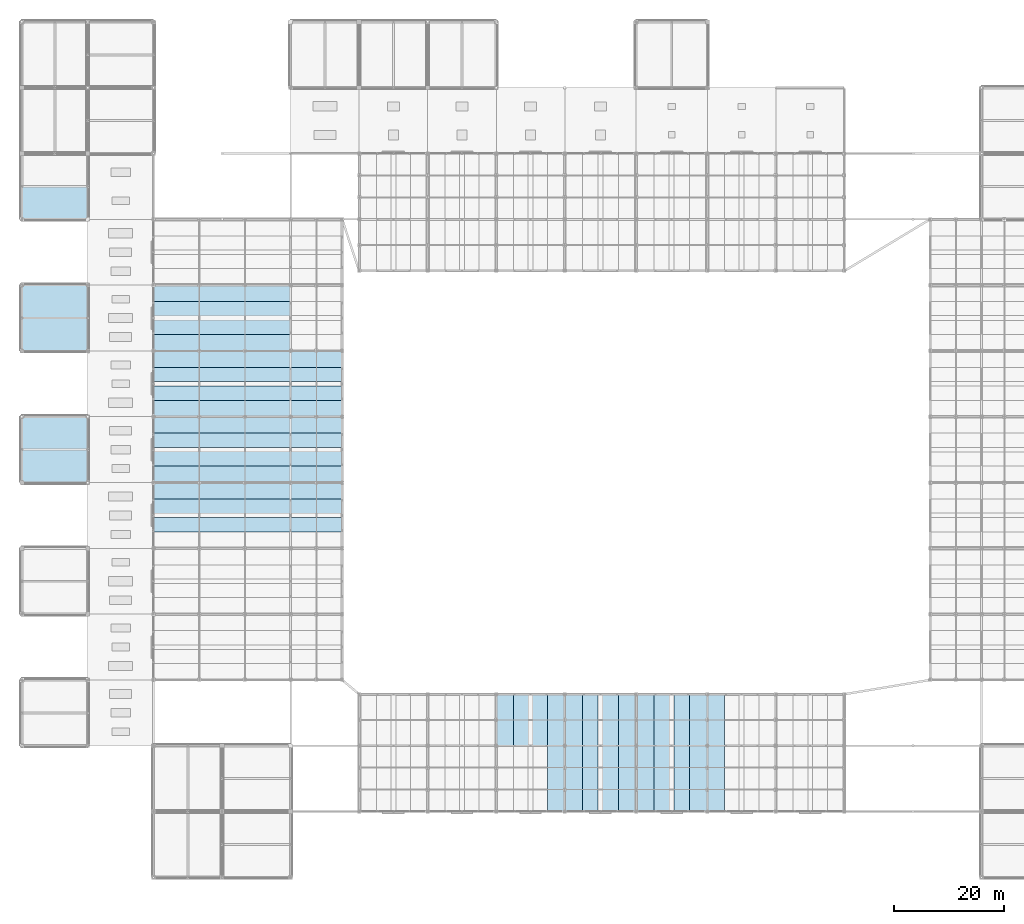
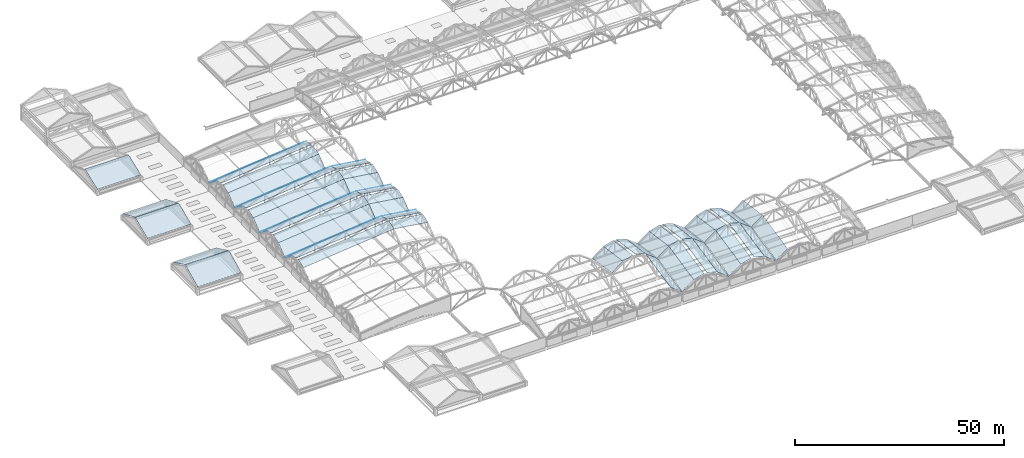
# One storey, part 111 of 117: 54 roofs.
"""IFC4 building model written with IfcOpenShell, lengths in metres."""

import ifcopenshell
import ifcopenshell.guid

model = None  # the IFC model being written
_history = None  # IfcOwnerHistory: only IFC2X3 demands one
_inside = {}  # id of a spatial element -> (the spatial element, [elements in it])
_under = {}  # id of a project, library or spatial element -> (it, [spatial elements below it])
_declared = {}  # id of a project -> (the project, [libraries it declares])
_typed = {}  # id of a type object -> (the type object, [elements of that type])
_made_of = {}  # id of a material, layer set ... -> (it, [elements and type objects made of it])


def new_model(schema):
    """Start an empty IFC model of exactly this schema.

    Asked for "IFC4X3", IfcOpenShell would pick the latest addendum, in which some entities
    have other attributes; the version numbers below select the first issue.
    IFC2X3 requires an IfcOwnerHistory on every rooted entity: one is made here for all.
    """
    global model, _history
    if schema == "IFC4X3":
        model = ifcopenshell.file(schema_version=(4, 3, 0, 0))
    else:
        model = ifcopenshell.file(schema=schema)
    _inside.clear()
    _under.clear()
    _declared.clear()
    _typed.clear()
    _made_of.clear()
    _history = None
    if model.schema == "IFC2X3":
        org = make("IfcOrganization", Name="unknown")
        user = make(
            "IfcPersonAndOrganization",
            ThePerson=make("IfcPerson", FamilyName="unknown"),
            TheOrganization=org,
        )
        app = make(
            "IfcApplication",
            ApplicationDeveloper=org,
            Version="unknown",
            ApplicationFullName="unknown",
            ApplicationIdentifier="unknown",
        )
        _history = make(
            "IfcOwnerHistory",
            OwningUser=user,
            OwningApplication=app,
            ChangeAction="ADDED",
            CreationDate=0,
        )
    return model


def make(cls, **values):
    """One entity of the class cls with the attributes given. An attribute that is None is left unset."""
    return model.create_entity(
        cls, **{name: value for name, value in values.items() if value is not None}
    )


def rooted(cls, **values):
    """An entity with a GlobalId (a new one), such as an element, a storey or a relation."""
    return make(cls, GlobalId=ifcopenshell.guid.new(), OwnerHistory=_history, **values)


def si_unit(unit_type, name, prefix=None):
    """IfcSIUnit, for example si_unit("LENGTHUNIT", "METRE", prefix="MILLI")."""
    return make("IfcSIUnit", UnitType=unit_type, Prefix=prefix, Name=name)


def assignment(units):
    """IfcUnitAssignment: the units of a project."""
    return None if units is None else make("IfcUnitAssignment", Units=units)


def point(xyz):
    """IfcCartesianPoint."""
    return None if xyz is None else make("IfcCartesianPoint", Coordinates=xyz)


def direction(xyz):
    """IfcDirection."""
    return None if xyz is None else make("IfcDirection", DirectionRatios=xyz)


def frame(location, z_axis=None, x_axis=None):
    """IfcAxis2Placement3D, a coordinate frame: its origin and axes. An axis left out is left unset."""
    return make(
        "IfcAxis2Placement3D",
        Location=point(location),
        Axis=direction(z_axis),
        RefDirection=direction(x_axis),
    )


def origin():
    """The frame at (0, 0, 0) with its axes left unset."""
    return frame((0.0, 0.0, 0.0))


def place(relative_to, where):
    """IfcLocalPlacement: puts the frame where relative to a parent placement (None: the world)."""
    return make(
        "IfcLocalPlacement", PlacementRelTo=relative_to, RelativePlacement=where
    )


def context(
    kind, dimensions, precision=None, world=None, true_north=None, identifier=None
):
    """IfcGeometricRepresentationContext, for example the 3D "Model" context."""
    return make(
        "IfcGeometricRepresentationContext",
        ContextIdentifier=identifier,
        ContextType=kind,
        CoordinateSpaceDimension=dimensions,
        Precision=precision,
        WorldCoordinateSystem=world,
        TrueNorth=true_north,
    )


def subcontext(parent, identifier, kind, view, scale=None):
    """IfcGeometricRepresentationSubContext, for example "Body" below "Model"."""
    return make(
        "IfcGeometricRepresentationSubContext",
        ContextIdentifier=identifier,
        ContextType=kind,
        ParentContext=parent,
        TargetScale=scale,
        TargetView=view,
    )


def project(units=None, contexts=None):
    """IfcProject with its units and contexts."""
    return rooted(
        "IfcProject",
        Name="project",
        RepresentationContexts=contexts,
        UnitsInContext=assignment(units),
    )


def spatial(cls, under=None, at=None, **own):
    """A site, building, storey or space (cls), placed at a placement, below another one or the project."""
    s = rooted(cls, ObjectPlacement=at, **own)
    if under is not None:
        _under.setdefault(under.id(), (under, []))[1].append(s)
    return s


def polyline(points):
    """IfcPolyline through the points."""
    return make("IfcPolyline", Points=[point(p) for p in points])


def outline(outer, holes=None, kind="AREA"):
    """IfcArbitraryClosedProfileDef: a profile drawn as a closed curve; with holes, ...WithVoids."""
    if holes is None:
        return make("IfcArbitraryClosedProfileDef", ProfileType=kind, OuterCurve=outer)
    return make(
        "IfcArbitraryProfileDefWithVoids",
        ProfileType=kind,
        OuterCurve=outer,
        InnerCurves=holes,
    )


def extrude(swept, where, along, depth):
    """IfcExtrudedAreaSolid: the profile swept, set in the frame where, extruded along a direction by depth."""
    return make(
        "IfcExtrudedAreaSolid",
        SweptArea=swept,
        Position=where,
        ExtrudedDirection=direction(along),
        Depth=depth,
    )


def shape(context_of_items, identifier, shape_type, items):
    """IfcShapeRepresentation: the items that make up one representation, for example the "Body"."""
    return make(
        "IfcShapeRepresentation",
        ContextOfItems=context_of_items,
        RepresentationIdentifier=identifier,
        RepresentationType=shape_type,
        Items=items,
    )


def material(Name=None, Category=None):
    """IfcMaterial."""
    return make("IfcMaterial", Name=Name, Category=Category)


def layer(
    of_material, thickness, ventilated=None, Name=None, Category=None, Priority=None
):
    """IfcMaterialLayer: one layer of a wall or slab, of a material (None: an air gap)."""
    return make(
        "IfcMaterialLayer",
        Material=of_material,
        LayerThickness=thickness,
        IsVentilated=ventilated,
        Name=Name,
        Category=Category,
        Priority=Priority,
    )


def layer_set(layers, Name=None):
    """IfcMaterialLayerSet."""
    return make("IfcMaterialLayerSet", MaterialLayers=layers, LayerSetName=Name)


def made_of(thing, what):
    """Note that an element or type object is made of a material, layer set ...; save() writes the relation."""
    if what is not None:
        _made_of.setdefault(what.id(), (what, []))[1].append(thing)
    return thing


def type_object(cls, material=None, **own):
    """A type object (cls), such as IfcWallType, which elements share."""
    return made_of(rooted(cls, **own), material)


def element(
    cls,
    number,
    at=None,
    inside=None,
    cuts=None,
    type_object=None,
    material=None,
    context=None,
    identifier="Body",
    shape_type=None,
    held_by="IfcProductDefinitionShape",
    body=None,
    shapes=None,
    **own,
):
    """One element of the class cls, such as IfcWall. Its Tag is "e" and its number.

    at: its placement. inside: the storey or other place that contains it. cuts: it is an
    opening in that element (IfcRelVoidsElement). A single representation is given by context,
    identifier, shape_type and body (its items); several are given by shapes. held_by: the class
    of the entity that holds the representations. save() writes the other relations.
    """
    e = rooted(cls, Tag="e%d" % number, ObjectPlacement=at, **own)
    if body is not None:
        shapes = [shape(context, identifier, shape_type, body)]
    if shapes is not None:
        e.Representation = make(held_by, Representations=shapes)
    if inside is not None:
        _inside.setdefault(inside.id(), (inside, []))[1].append(e)
    if cuts is not None:
        rooted(
            "IfcRelVoidsElement", RelatingBuildingElement=cuts, RelatedOpeningElement=e
        )
    if type_object is not None:
        _typed.setdefault(type_object.id(), (type_object, []))[1].append(e)
    return made_of(e, material)


def aggregate(whole, parts):
    """IfcRelAggregates: a whole, such as a stair, and the parts it consists of."""
    return rooted("IfcRelAggregates", RelatingObject=whole, RelatedObjects=parts)


def save(model, path):
    """Write the relations noted so far, then the file.

    IfcRelAggregates (storeys below a building ...), IfcRelContainedInSpatialStructure (elements
    in a storey), IfcRelDefinesByType, IfcRelAssociatesMaterial and IfcRelDeclares: one each for
    every whole, place, type object, material and project.
    """
    for whole, parts in _under.values():
        aggregate(whole, parts)
    for where, things in _inside.values():
        rooted(
            "IfcRelContainedInSpatialStructure",
            RelatedElements=things,
            RelatingStructure=where,
        )
    for kind, things in _typed.values():
        rooted("IfcRelDefinesByType", RelatedObjects=things, RelatingType=kind)
    for what, things in _made_of.values():
        rooted("IfcRelAssociatesMaterial", RelatedObjects=things, RelatingMaterial=what)
    for by, libraries in _declared.values():
        rooted("IfcRelDeclares", RelatingContext=by, RelatedDefinitions=libraries)
    model.write(path)


model = new_model("IFC4")

# Units and contexts
model_context = context("Model", 3, precision=1e-05, world=origin(), true_north=direction((0.0, 1.0)))
body_context = subcontext(model_context, "Body", "Model", "MODEL_VIEW")
ifc_project = project(units=[si_unit("LENGTHUNIT", "METRE"), si_unit("AREAUNIT", "SQUARE_METRE"), si_unit("VOLUMEUNIT", "CUBIC_METRE"), si_unit("PLANEANGLEUNIT", "RADIAN"), si_unit("MASSUNIT", "GRAM", prefix="KILO")], contexts=[model_context])

# Site, building, storey
site_placement = place(None, origin())
site = spatial("IfcSite", under=ifc_project, at=site_placement, CompositionType="ELEMENT")
building_placement = place(site_placement, origin())
building = spatial("IfcBuilding", under=site, at=building_placement, Name="Kazenohara Klinker Stadium", CompositionType="ELEMENT")
storey_placement = place(building_placement, frame((0.0, 0.0, 31.199951171875)))
storey = spatial("IfcBuildingStorey", under=building, at=storey_placement, Name="RF", CompositionType="ELEMENT", Elevation=31.199951171875)

# Roofs
ifc_material = material(Name="Patina copper standing seam roofing", Category="metal")
ifc_layer = layer(ifc_material, 0.080078125)
ifc_layer_set = layer_set([ifc_layer], Name="Patina copper standing seam roofing")
roof_type = type_object("IfcRoofType", Name="ROOF-BARREL-01", PredefinedType="BARREL_ROOF", material=ifc_layer_set)
roof_1_placement = place(storey_placement, frame((49.0, 75.0, 7.5), z_axis=(0.136061259308, -0.289700944037, 0.947396800047), x_axis=(0.989844222428, 3.528061e-06, -0.142156305924)))
element("IfcRoof", 1, at=roof_1_placement, inside=storey, type_object=roof_type, Name="Scalloped copper barrel-arch roof shell W-03 inner strip 2", PredefinedType="BARREL_ROOF", context=body_context, shape_type="SweptSolid", body=[
    extrude(outline(polyline([(0.0, 0.0), (9.496329215665769, -1.1102230246251565e-16), (9.382641165120983, 2.733138275735066), (-0.11372275667416151, 2.7332082853263064), (0.0, 0.0)])), origin(), (0.0, 0.0, -1.0), 0.080078125),
])
roof_2_placement = place(storey_placement, frame((24.0, 75.0, 4.949951171875), z_axis=(-0.097081417551, -0.291079679099, 0.951760378867), x_axis=(0.994838046303, 0.0, 0.101475423766)))
element("IfcRoof", 2, at=roof_2_placement, inside=storey, type_object=roof_type, Name="Scalloped copper barrel-arch roof shell W-03 outer strip 2", PredefinedType="BARREL_ROOF", context=body_context, shape_type="SweptSolid", body=[
    extrude(outline(polyline([(0.0, 0.0), (25.129718443027205, 0.0), (25.210903736894636, 2.734368182559966), (0.08118529386742987, 2.7343681825599666), (0.0, 0.0)])), origin(), (0.0, 0.0, -1.0), 0.080078125),
])
roof_3_placement = place(storey_placement, frame((49.0, 78.384033203125, 8.300048828125), z_axis=(0.136061259308, 0.289700944037, 0.947396800047), x_axis=(0.989843918815, 3.528048e-06, -0.142158419982)))
element("IfcRoof", 3, at=roof_3_placement, inside=storey, type_object=roof_type, Name="Scalloped copper barrel-arch roof shell W-03 inner strip 3", PredefinedType="BARREL_ROOF", context=body_context, shape_type="SweptSolid", body=[
    extrude(outline(polyline([(0.0, 0.0), (9.49636392205321, 0.0), (9.61007212197998, 2.733137437523795), (0.11374290657227543, 2.733207446859171), (0.0, 0.0)])), origin(), (0.0, 0.0, -1.0), 0.080078125),
])
roof_4_placement = place(storey_placement, frame((24.0, 78.384033203125, 5.75), z_axis=(-0.097081417551, 0.291079679099, 0.951760378867), x_axis=(0.994838046303, 0.0, 0.101475423766)))
element("IfcRoof", 4, at=roof_4_placement, inside=storey, type_object=roof_type, Name="Scalloped copper barrel-arch roof shell W-03 outer strip 3", PredefinedType="BARREL_ROOF", context=body_context, shape_type="SweptSolid", body=[
    extrude(outline(polyline([(0.0, 0.0), (25.129718443027205, 0.0), (25.048533149159773, 2.7343681825599666), (-0.08118529386742987, 2.7343681825599666), (0.0, 0.0)])), origin(), (0.0, 0.0, -1.0), 0.080078125),
])
roof_5_placement = place(storey_placement, frame((49.0, 81.0, 7.5), z_axis=(0.1114348372, 0.620820003285, 0.775992783845), x_axis=(0.989845879347, 0.0, -0.142144768244)))
element("IfcRoof", 5, at=roof_5_placement, inside=storey, type_object=roof_type, Name="Scalloped copper barrel-arch roof shell W-03 inner strip 4", PredefinedType="BARREL_ROOF", context=body_context, shape_type="SweptSolid", body=[
    extrude(outline(polyline([(0.0, 0.0), (9.496329216369972, 1.1102230246251565e-16), (9.830660929567724, 3.7501494177315413), (0.3343317131977522, 3.7501494177315413), (0.0, 0.0)])), origin(), (0.0, 0.0, -1.0), 0.080078125),
])
roof_6_placement = place(storey_placement, frame((24.0, 81.0, 4.949951171875), z_axis=(-0.079395226247, 0.62271907893, 0.778406928788), x_axis=(0.994838346519, -2.354623e-06, 0.101472480458)))
element("IfcRoof", 6, at=roof_6_placement, inside=storey, type_object=roof_type, Name="Scalloped copper barrel-arch roof shell W-03 outer strip 4", PredefinedType="BARREL_ROOF", context=body_context, shape_type="SweptSolid", body=[
    extrude(outline(polyline([(0.0, 0.0), (25.12971844284756, 2.220446049250313e-16), (24.891043093458787, 3.7574502549371473), (-0.23865057583397561, 3.757299008689129), (0.0, 0.0)])), origin(), (0.0, 0.0, -1.0), 0.080078125),
])
roof_7_placement = place(storey_placement, frame((49.0, 84.06005859375, 5.14794921875), z_axis=(0.1114348372, -0.620820003285, 0.775992783845), x_axis=(0.989845879347, 0.0, -0.142144768244)))
element("IfcRoof", 7, at=roof_7_placement, inside=storey, type_object=roof_type, Name="Scalloped copper barrel-arch roof shell W-04 inner strip 1", PredefinedType="BARREL_ROOF", context=body_context, shape_type="SweptSolid", body=[
    extrude(outline(polyline([(0.0, 0.0), (9.496329216369972, -1.1102230246251565e-16), (9.16199750317222, 3.750149417731541), (-0.3343317131977522, 3.7501494177315413), (0.0, 0.0)])), origin(), (0.0, 0.0, -1.0), 0.080078125),
])
roof_8_placement = place(storey_placement, frame((24.0, 84.06005859375, 2.59814453125), z_axis=(-0.079395226247, -0.62271907893, 0.778406928788), x_axis=(0.994838726822, -2.354625e-06, 0.101468751889)))
element("IfcRoof", 8, at=roof_8_placement, inside=storey, type_object=roof_type, Name="Scalloped copper barrel-arch roof shell W-04 outer strip 1", PredefinedType="BARREL_ROOF", context=body_context, shape_type="SweptSolid", body=[
    extrude(outline(polyline([(0.0, 0.0), (25.129693669747912, 0.0), (25.368346404441525, 3.7574516913669496), (0.2386279620491107, 3.7573004449698315), (0.0, 0.0)])), origin(), (0.0, 0.0, -1.0), 0.080078125),
])
roof_9_placement = place(storey_placement, frame((49.0, 87.0, 7.5), z_axis=(0.136061259308, -0.289700944037, 0.947396800047), x_axis=(0.989844222428, 3.528061e-06, -0.142156305924)))
element("IfcRoof", 9, at=roof_9_placement, inside=storey, type_object=roof_type, Name="Scalloped copper barrel-arch roof shell W-04 inner strip 2", PredefinedType="BARREL_ROOF", context=body_context, shape_type="SweptSolid", body=[
    extrude(outline(polyline([(0.0, 0.0), (9.496329215665769, -1.1102230246251565e-16), (9.382641165120983, 2.733138275735066), (-0.11372275667416151, 2.7332082853263064), (0.0, 0.0)])), origin(), (0.0, 0.0, -1.0), 0.080078125),
])
roof_10_placement = place(storey_placement, frame((24.0, 87.0, 4.949951171875), z_axis=(-0.097081417551, -0.291079679099, 0.951760378867), x_axis=(0.994838046303, 0.0, 0.101475423766)))
element("IfcRoof", 10, at=roof_10_placement, inside=storey, type_object=roof_type, Name="Scalloped copper barrel-arch roof shell W-04 outer strip 2", PredefinedType="BARREL_ROOF", context=body_context, shape_type="SweptSolid", body=[
    extrude(outline(polyline([(0.0, 0.0), (25.129718443027205, 0.0), (25.210903736894636, 2.734368182559966), (0.08118529386742987, 2.7343681825599666), (0.0, 0.0)])), origin(), (0.0, 0.0, -1.0), 0.080078125),
])
roof_11_placement = place(storey_placement, frame((49.0, 90.384033203125, 8.300048828125), z_axis=(0.136061259308, 0.289700944037, 0.947396800047), x_axis=(0.989843918815, 3.528048e-06, -0.142158419982)))
element("IfcRoof", 11, at=roof_11_placement, inside=storey, type_object=roof_type, Name="Scalloped copper barrel-arch roof shell W-04 inner strip 3", PredefinedType="BARREL_ROOF", context=body_context, shape_type="SweptSolid", body=[
    extrude(outline(polyline([(0.0, 0.0), (9.49636392205321, 0.0), (9.61007212197998, 2.733137437523795), (0.11374290657227543, 2.733207446859171), (0.0, 0.0)])), origin(), (0.0, 0.0, -1.0), 0.080078125),
])
roof_12_placement = place(storey_placement, frame((24.0, 90.384033203125, 5.75), z_axis=(-0.097081417551, 0.291079679099, 0.951760378867), x_axis=(0.994838046303, 0.0, 0.101475423766)))
element("IfcRoof", 12, at=roof_12_placement, inside=storey, type_object=roof_type, Name="Scalloped copper barrel-arch roof shell W-04 outer strip 3", PredefinedType="BARREL_ROOF", context=body_context, shape_type="SweptSolid", body=[
    extrude(outline(polyline([(0.0, 0.0), (25.129718443027205, 0.0), (25.048533149159773, 2.7343681825599666), (-0.08118529386742987, 2.7343681825599666), (0.0, 0.0)])), origin(), (0.0, 0.0, -1.0), 0.080078125),
])
roof_13_placement = place(storey_placement, frame((49.0, 93.0, 7.5), z_axis=(0.1114348372, 0.620820003285, 0.775992783845), x_axis=(0.989845879347, 0.0, -0.142144768244)))
element("IfcRoof", 13, at=roof_13_placement, inside=storey, type_object=roof_type, Name="Scalloped copper barrel-arch roof shell W-04 inner strip 4", PredefinedType="BARREL_ROOF", context=body_context, shape_type="SweptSolid", body=[
    extrude(outline(polyline([(0.0, 0.0), (9.496329216369972, 1.1102230246251565e-16), (9.830660929567724, 3.7501494177315413), (0.3343317131977522, 3.7501494177315413), (0.0, 0.0)])), origin(), (0.0, 0.0, -1.0), 0.080078125),
])
roof_14_placement = place(storey_placement, frame((24.0, 93.0, 4.949951171875), z_axis=(-0.079395226247, 0.62271907893, 0.778406928788), x_axis=(0.994838346519, -2.354623e-06, 0.101472480458)))
element("IfcRoof", 14, at=roof_14_placement, inside=storey, type_object=roof_type, Name="Scalloped copper barrel-arch roof shell W-04 outer strip 4", PredefinedType="BARREL_ROOF", context=body_context, shape_type="SweptSolid", body=[
    extrude(outline(polyline([(0.0, 0.0), (25.12971844284756, 2.220446049250313e-16), (24.891043093458787, 3.7574502549371473), (-0.23865057583397561, 3.757299008689129), (0.0, 0.0)])), origin(), (0.0, 0.0, -1.0), 0.080078125),
])
roof_15_placement = place(storey_placement, frame((49.0, 96.06005859375, 5.14794921875), z_axis=(0.1114348372, -0.620820003285, 0.775992783845), x_axis=(0.989845879347, 0.0, -0.142144768244)))
element("IfcRoof", 15, at=roof_15_placement, inside=storey, type_object=roof_type, Name="Scalloped copper barrel-arch roof shell W-05 inner strip 1", PredefinedType="BARREL_ROOF", context=body_context, shape_type="SweptSolid", body=[
    extrude(outline(polyline([(0.0, 0.0), (9.496329216369972, -1.1102230246251565e-16), (9.16199750317222, 3.750149417731541), (-0.3343317131977522, 3.7501494177315413), (0.0, 0.0)])), origin(), (0.0, 0.0, -1.0), 0.080078125),
])
roof_16_placement = place(storey_placement, frame((24.0, 96.06005859375, 2.59814453125), z_axis=(-0.079395226247, -0.62271907893, 0.778406928788), x_axis=(0.994838726822, -2.354625e-06, 0.101468751889)))
element("IfcRoof", 16, at=roof_16_placement, inside=storey, type_object=roof_type, Name="Scalloped copper barrel-arch roof shell W-05 outer strip 1", PredefinedType="BARREL_ROOF", context=body_context, shape_type="SweptSolid", body=[
    extrude(outline(polyline([(0.0, 0.0), (25.129693669747912, 0.0), (25.368346404441525, 3.7574516913669496), (0.2386279620491107, 3.7573004449698315), (0.0, 0.0)])), origin(), (0.0, 0.0, -1.0), 0.080078125),
])
roof_17_placement = place(storey_placement, frame((49.0, 99.0, 7.5), z_axis=(0.136061259308, -0.289700944037, 0.947396800047), x_axis=(0.989844222428, 3.528061e-06, -0.142156305924)))
element("IfcRoof", 17, at=roof_17_placement, inside=storey, type_object=roof_type, Name="Scalloped copper barrel-arch roof shell W-05 inner strip 2", PredefinedType="BARREL_ROOF", context=body_context, shape_type="SweptSolid", body=[
    extrude(outline(polyline([(0.0, 0.0), (9.496329215665769, -1.1102230246251565e-16), (9.382641165120983, 2.733138275735066), (-0.11372275667416151, 2.7332082853263064), (0.0, 0.0)])), origin(), (0.0, 0.0, -1.0), 0.080078125),
])
roof_18_placement = place(storey_placement, frame((24.0, 99.0, 4.949951171875), z_axis=(-0.097081417551, -0.291079679099, 0.951760378867), x_axis=(0.994838046303, 0.0, 0.101475423766)))
element("IfcRoof", 18, at=roof_18_placement, inside=storey, type_object=roof_type, Name="Scalloped copper barrel-arch roof shell W-05 outer strip 2", PredefinedType="BARREL_ROOF", context=body_context, shape_type="SweptSolid", body=[
    extrude(outline(polyline([(0.0, 0.0), (25.129718443027205, 0.0), (25.210903736894636, 2.734368182559966), (0.08118529386742987, 2.7343681825599666), (0.0, 0.0)])), origin(), (0.0, 0.0, -1.0), 0.080078125),
])
roof_19_placement = place(storey_placement, frame((49.0, 102.384033203125, 8.300048828125), z_axis=(0.136061259308, 0.289700944037, 0.947396800047), x_axis=(0.989843918815, 3.528048e-06, -0.142158419982)))
element("IfcRoof", 19, at=roof_19_placement, inside=storey, type_object=roof_type, Name="Scalloped copper barrel-arch roof shell W-05 inner strip 3", PredefinedType="BARREL_ROOF", context=body_context, shape_type="SweptSolid", body=[
    extrude(outline(polyline([(0.0, 0.0), (9.49636392205321, 0.0), (9.61007212197998, 2.733137437523795), (0.11374290657227543, 2.733207446859171), (0.0, 0.0)])), origin(), (0.0, 0.0, -1.0), 0.080078125),
])
roof_20_placement = place(storey_placement, frame((24.0, 102.384033203125, 5.75), z_axis=(-0.097081417551, 0.291079679099, 0.951760378867), x_axis=(0.994838046303, 0.0, 0.101475423766)))
element("IfcRoof", 20, at=roof_20_placement, inside=storey, type_object=roof_type, Name="Scalloped copper barrel-arch roof shell W-05 outer strip 3", PredefinedType="BARREL_ROOF", context=body_context, shape_type="SweptSolid", body=[
    extrude(outline(polyline([(0.0, 0.0), (25.129718443027205, 0.0), (25.048533149159773, 2.7343681825599666), (-0.08118529386742987, 2.7343681825599666), (0.0, 0.0)])), origin(), (0.0, 0.0, -1.0), 0.080078125),
])
roof_21_placement = place(storey_placement, frame((49.0, 105.0, 7.5), z_axis=(0.1114348372, 0.620820003285, 0.775992783845), x_axis=(0.989845879347, 0.0, -0.142144768244)))
element("IfcRoof", 21, at=roof_21_placement, inside=storey, type_object=roof_type, Name="Scalloped copper barrel-arch roof shell W-05 inner strip 4", PredefinedType="BARREL_ROOF", context=body_context, shape_type="SweptSolid", body=[
    extrude(outline(polyline([(0.0, 0.0), (9.496329216369972, 1.1102230246251565e-16), (9.830660929567724, 3.7501494177315413), (0.3343317131977522, 3.7501494177315413), (0.0, 0.0)])), origin(), (0.0, 0.0, -1.0), 0.080078125),
])
roof_22_placement = place(storey_placement, frame((24.0, 105.0, 4.949951171875), z_axis=(-0.079395226247, 0.62271907893, 0.778406928788), x_axis=(0.994838346519, -2.354623e-06, 0.101472480458)))
element("IfcRoof", 22, at=roof_22_placement, inside=storey, type_object=roof_type, Name="Scalloped copper barrel-arch roof shell W-05 outer strip 4", PredefinedType="BARREL_ROOF", context=body_context, shape_type="SweptSolid", body=[
    extrude(outline(polyline([(0.0, 0.0), (25.12971844284756, 2.220446049250313e-16), (24.891043093458787, 3.7574502549371473), (-0.23865057583397561, 3.757299008689129), (0.0, 0.0)])), origin(), (0.0, 0.0, -1.0), 0.080078125),
])
roof_23_placement = place(storey_placement, frame((24.0, 108.06005859375, 2.59814453125), z_axis=(-0.079395226247, -0.62271907893, 0.778406928788), x_axis=(0.994838726822, -2.354625e-06, 0.101468751889)))
element("IfcRoof", 23, at=roof_23_placement, inside=storey, type_object=roof_type, Name="Scalloped copper barrel-arch roof shell W-06 outer strip 1", PredefinedType="BARREL_ROOF", context=body_context, shape_type="SweptSolid", body=[
    extrude(outline(polyline([(0.0, 0.0), (25.129693669747912, 0.0), (25.368346404441525, 3.7574516913669496), (0.2386279620491107, 3.7573004449698315), (0.0, 0.0)])), origin(), (0.0, 0.0, -1.0), 0.080078125),
])
roof_24_placement = place(storey_placement, frame((24.0, 111.0, 4.949951171875), z_axis=(-0.097081417551, -0.291079679099, 0.951760378867), x_axis=(0.994838046303, 0.0, 0.101475423766)))
element("IfcRoof", 24, at=roof_24_placement, inside=storey, type_object=roof_type, Name="Scalloped copper barrel-arch roof shell W-06 outer strip 2", PredefinedType="BARREL_ROOF", context=body_context, shape_type="SweptSolid", body=[
    extrude(outline(polyline([(0.0, 0.0), (25.129718443027205, 0.0), (25.210903736894636, 2.734368182559966), (0.08118529386742987, 2.7343681825599666), (0.0, 0.0)])), origin(), (0.0, 0.0, -1.0), 0.080078125),
])
roof_25_placement = place(storey_placement, frame((24.0, 114.384033203125, 5.75), z_axis=(-0.097081417551, 0.291079679099, 0.951760378867), x_axis=(0.994838046303, 0.0, 0.101475423766)))
element("IfcRoof", 25, at=roof_25_placement, inside=storey, type_object=roof_type, Name="Scalloped copper barrel-arch roof shell W-06 outer strip 3", PredefinedType="BARREL_ROOF", context=body_context, shape_type="SweptSolid", body=[
    extrude(outline(polyline([(0.0, 0.0), (25.129718443027205, 0.0), (25.048533149159773, 2.7343681825599666), (-0.08118529386742987, 2.7343681825599666), (0.0, 0.0)])), origin(), (0.0, 0.0, -1.0), 0.080078125),
])
roof_26_placement = place(storey_placement, frame((24.0, 117.0, 4.949951171875), z_axis=(-0.079395226247, 0.62271907893, 0.778406928788), x_axis=(0.994838346519, -2.354623e-06, 0.101472480458)))
element("IfcRoof", 26, at=roof_26_placement, inside=storey, type_object=roof_type, Name="Scalloped copper barrel-arch roof shell W-06 outer strip 4", PredefinedType="BARREL_ROOF", context=body_context, shape_type="SweptSolid", body=[
    extrude(outline(polyline([(0.0, 0.0), (25.12971844284756, 2.220446049250313e-16), (24.891043093458787, 3.7574502549371473), (-0.23865057583397561, 3.757299008689129), (0.0, 0.0)])), origin(), (0.0, 0.0, -1.0), 0.080078125),
])
roof_27_placement = place(storey_placement, frame((86.5625, 36.0, 5.14794921875), z_axis=(-0.605193292064, 0.11315840291, 0.787995085702), x_axis=(0.0, 0.989845879347, -0.142144768244)))
element("IfcRoof", 27, at=roof_27_placement, inside=storey, type_object=roof_type, Name="Scalloped copper barrel-arch roof shell S-03 inner strip 1", PredefinedType="BARREL_ROOF", context=body_context, shape_type="SweptSolid", body=[
    extrude(outline(polyline([(0.0, 0.0), (9.496329216369972, 2.220446049250313e-16), (9.16199750317222, -3.846982120198766), (-0.3343317131977522, -3.846982120198766), (0.0, 0.0)])), origin(), (0.0, 0.0, -1.0), 0.080078125),
])
roof_28_placement = place(storey_placement, frame((89.625, 36.0, 7.5), z_axis=(-0.279019930215, 0.136511627499, 0.950532721215), x_axis=(3.409232e-06, 0.989844211441, -0.142156382431)))
element("IfcRoof", 28, at=roof_28_placement, inside=storey, type_object=roof_type, Name="Scalloped copper barrel-arch roof shell S-03 inner strip 2", PredefinedType="BARREL_ROOF", context=body_context, shape_type="SweptSolid", body=[
    extrude(outline(polyline([(0.0, 0.0), (9.496329215661099, 1.1102230246251565e-16), (9.382641165125596, -2.8377666901893592), (-0.11372275668355664, -2.837834118589799), (0.0, 0.0)])), origin(), (0.0, 0.0, -1.0), 0.080078125),
])
roof_29_placement = place(storey_placement, frame((93.14990234375, 36.0, 8.300048828125), z_axis=(0.279019930215, 0.136511627499, 0.950532721215), x_axis=(3.40922e-06, 0.989843929803, -0.142158343476)))
element("IfcRoof", 29, at=roof_29_placement, inside=storey, type_object=roof_type, Name="Scalloped copper barrel-arch roof shell S-03 inner strip 3", PredefinedType="BARREL_ROOF", context=body_context, shape_type="SweptSolid", body=[
    extrude(outline(polyline([(0.0, 0.0), (9.496363922048538, -5.551115123125783e-17), (9.610072121984706, -2.8377658828821857), (0.11374290656299219, -2.8378333110361944), (0.0, 0.0)])), origin(), (0.0, 0.0, -1.0), 0.080078125),
])
roof_30_placement = place(storey_placement, frame((95.875, 36.0, 7.5), z_axis=(0.605193292064, 0.11315840291, 0.787995085702), x_axis=(0.0, 0.989845879347, -0.142144768244)))
element("IfcRoof", 30, at=roof_30_placement, inside=storey, type_object=roof_type, Name="Scalloped copper barrel-arch roof shell S-03 inner strip 4", PredefinedType="BARREL_ROOF", context=body_context, shape_type="SweptSolid", body=[
    extrude(outline(polyline([(0.0, 0.0), (9.496329216369972, -2.220446049250313e-16), (9.830660929567724, -3.846982120198766), (0.3343317131977522, -3.846982120198766), (0.0, 0.0)])), origin(), (0.0, 0.0, -1.0), 0.080078125),
])
roof_31_placement = place(storey_placement, frame((95.875, 24.0, 4.949951171875), z_axis=(0.600615995654, -0.166186330342, 0.782075782372), x_axis=(-4.673945e-06, 0.978159334952, 0.207856477947)))
element("IfcRoof", 31, at=roof_31_placement, inside=storey, type_object=roof_type, Name="Scalloped copper barrel-arch roof shell S-03 outer strip 4", PredefinedType="BARREL_ROOF", context=body_context, shape_type="SweptSolid", body=[
    extrude(outline(polyline([(0.0, 0.0), (12.267956187430222, 0.0), (11.779052882130824, -3.8304076384285626), (-0.48885255908896436, -3.8302642064544115), (0.0, 0.0)])), origin(), (0.0, 0.0, -1.0), 0.080078125),
])
roof_32_placement = place(storey_placement, frame((99.06494140625, 36.0, 5.14794921875), z_axis=(-0.59011984707, 0.114755696616, 0.799118073996), x_axis=(0.0, 0.989845879347, -0.142144768244)))
element("IfcRoof", 32, at=roof_32_placement, inside=storey, type_object=roof_type, Name="Scalloped copper barrel-arch roof shell S-04 inner strip 1", PredefinedType="BARREL_ROOF", context=body_context, shape_type="SweptSolid", body=[
    extrude(outline(polyline([(0.0, 0.0), (9.496329216369972, -1.1102230246251565e-16), (9.16199750317222, -3.945245674067677), (-0.3343317131977522, -3.945245674067677), (0.0, 0.0)])), origin(), (0.0, 0.0, -1.0), 0.080078125),
])
roof_33_placement = place(storey_placement, frame((99.06494140625, 24.0, 2.59814453125), z_axis=(-0.585531139913, -0.168496052019, 0.792945373053), x_axis=(-4.619903e-06, 0.978160758338, 0.207849779472)))
element("IfcRoof", 33, at=roof_33_placement, inside=storey, type_object=roof_type, Name="Scalloped copper barrel-arch roof shell S-04 outer strip 1", PredefinedType="BARREL_ROOF", context=body_context, shape_type="SweptSolid", body=[
    extrude(outline(polyline([(0.0, 0.0), (12.267905442047867, 0.0), (12.756763963575356, -3.929091302039204), (0.4888077769524241, -3.9289514718726313), (0.0, 0.0)])), origin(), (0.0, 0.0, -1.0), 0.080078125),
])
roof_34_placement = place(storey_placement, frame((102.25, 36.0, 7.5), z_axis=(-0.269090093671, 0.136913889971, 0.953333681468), x_axis=(3.297592e-06, 0.989844201596, -0.14215645098)))
element("IfcRoof", 34, at=roof_34_placement, inside=storey, type_object=roof_type, Name="Scalloped copper barrel-arch roof shell S-04 inner strip 2", PredefinedType="BARREL_ROOF", context=body_context, shape_type="SweptSolid", body=[
    extrude(outline(polyline([(0.0, 0.0), (9.496329215656914, 0.0), (9.38264116512973, -2.9424870415204203), (-0.11372275669197447, -2.9425520702607555), (0.0, 0.0)])), origin(), (0.0, 0.0, -1.0), 0.080078125),
])
roof_35_placement = place(storey_placement, frame((102.25, 24.0, 4.949951171875), z_axis=(-0.26617723672, -0.200363735791, 0.942870114083), x_axis=(0.0, 0.978158041674, 0.207862563991)))
element("IfcRoof", 35, at=roof_35_placement, inside=storey, type_object=roof_type, Name="Scalloped copper barrel-arch roof shell S-04 outer strip 2", PredefinedType="BARREL_ROOF", context=body_context, shape_type="SweptSolid", body=[
    extrude(outline(polyline([(0.0, 0.0), (12.267956187801687, 1.1102230246251565e-16), (12.434256388533697, -2.940049286723748), (0.16630020073201093, -2.940049286723748), (0.0, 0.0)])), origin(), (0.0, 0.0, -1.0), 0.080078125),
])
roof_36_placement = place(storey_placement, frame((105.916015625, 36.0, 8.300048828125), z_axis=(0.269090093671, 0.136913889971, 0.953333681468), x_axis=(3.29758e-06, 0.989843939648, -0.142158274928)))
element("IfcRoof", 36, at=roof_36_placement, inside=storey, type_object=roof_type, Name="Scalloped copper barrel-arch roof shell S-04 inner strip 3", PredefinedType="BARREL_ROOF", context=body_context, shape_type="SweptSolid", body=[
    extrude(outline(polyline([(0.0, 0.0), (9.496363922044354, 0.0), (9.61007212198894, -2.942486262943912), (0.11374290655467463, -2.942551291446587), (0.0, 0.0)])), origin(), (0.0, 0.0, -1.0), 0.080078125),
])
roof_37_placement = place(storey_placement, frame((105.916015625, 24.0, 5.75), z_axis=(0.26617723672, -0.200363735791, 0.942870114083), x_axis=(0.0, 0.978158041674, 0.207862563991)))
element("IfcRoof", 37, at=roof_37_placement, inside=storey, type_object=roof_type, Name="Scalloped copper barrel-arch roof shell S-04 outer strip 3", PredefinedType="BARREL_ROOF", context=body_context, shape_type="SweptSolid", body=[
    extrude(outline(polyline([(0.0, 0.0), (12.267956187801687, -1.1102230246251565e-16), (12.101655987069677, -2.940049286723748), (-0.16630020073201093, -2.940049286723748), (0.0, 0.0)])), origin(), (0.0, 0.0, -1.0), 0.080078125),
])
roof_38_placement = place(storey_placement, frame((108.75, 36.0, 7.5), z_axis=(0.59011984707, 0.114755696616, 0.799118073996), x_axis=(0.0, 0.989845879347, -0.142144768244)))
element("IfcRoof", 38, at=roof_38_placement, inside=storey, type_object=roof_type, Name="Scalloped copper barrel-arch roof shell S-04 inner strip 4", PredefinedType="BARREL_ROOF", context=body_context, shape_type="SweptSolid", body=[
    extrude(outline(polyline([(0.0, 0.0), (9.496329216369972, 1.1102230246251565e-16), (9.830660929567724, -3.9452456740676767), (0.3343317131977522, -3.945245674067677), (0.0, 0.0)])), origin(), (0.0, 0.0, -1.0), 0.080078125),
])
roof_39_placement = place(storey_placement, frame((108.75, 24.0, 4.949951171875), z_axis=(0.585531139913, -0.168496052019, 0.792945373053), x_axis=(-4.619884e-06, 0.978159371151, 0.207856307599)))
element("IfcRoof", 39, at=roof_39_placement, inside=storey, type_object=roof_type, Name="Scalloped copper barrel-arch roof shell S-04 outer strip 4", PredefinedType="BARREL_ROOF", context=body_context, shape_type="SweptSolid", body=[
    extrude(outline(polyline([(0.0, 0.0), (12.267956187419827, -2.220446049250313e-16), (11.779052882140807, -3.929085729774476), (-0.4888525591101731, -3.9289459001862985), (0.0, 0.0)])), origin(), (0.0, 0.0, -1.0), 0.080078125),
])
roof_40_placement = place(storey_placement, frame((112.06494140625, 36.0, 5.14794921875), z_axis=(-0.59011984707, 0.114755696616, 0.799118073996), x_axis=(0.0, 0.989845879347, -0.142144768244)))
element("IfcRoof", 40, at=roof_40_placement, inside=storey, type_object=roof_type, Name="Scalloped copper barrel-arch roof shell S-05 inner strip 1", PredefinedType="BARREL_ROOF", context=body_context, shape_type="SweptSolid", body=[
    extrude(outline(polyline([(0.0, 0.0), (9.496329216369972, -1.1102230246251565e-16), (9.16199750317222, -3.945245674067677), (-0.3343317131977522, -3.945245674067677), (0.0, 0.0)])), origin(), (0.0, 0.0, -1.0), 0.080078125),
])
roof_41_placement = place(storey_placement, frame((112.06494140625, 24.0, 2.59814453125), z_axis=(-0.585531139913, -0.168496052019, 0.792945373053), x_axis=(-4.619903e-06, 0.978160758338, 0.207849779472)))
element("IfcRoof", 41, at=roof_41_placement, inside=storey, type_object=roof_type, Name="Scalloped copper barrel-arch roof shell S-05 outer strip 1", PredefinedType="BARREL_ROOF", context=body_context, shape_type="SweptSolid", body=[
    extrude(outline(polyline([(0.0, 0.0), (12.267905442047867, 0.0), (12.756763963575356, -3.929091302039204), (0.4888077769524241, -3.9289514718726313), (0.0, 0.0)])), origin(), (0.0, 0.0, -1.0), 0.080078125),
])
roof_42_placement = place(storey_placement, frame((115.25, 36.0, 7.5), z_axis=(-0.269090093671, 0.136913889971, 0.953333681468), x_axis=(3.297592e-06, 0.989844201596, -0.14215645098)))
element("IfcRoof", 42, at=roof_42_placement, inside=storey, type_object=roof_type, Name="Scalloped copper barrel-arch roof shell S-05 inner strip 2", PredefinedType="BARREL_ROOF", context=body_context, shape_type="SweptSolid", body=[
    extrude(outline(polyline([(0.0, 0.0), (9.496329215656914, 0.0), (9.38264116512973, -2.9424870415204203), (-0.11372275669197447, -2.9425520702607555), (0.0, 0.0)])), origin(), (0.0, 0.0, -1.0), 0.080078125),
])
roof_43_placement = place(storey_placement, frame((115.25, 24.0, 4.949951171875), z_axis=(-0.26617723672, -0.200363735791, 0.942870114083), x_axis=(0.0, 0.978158041674, 0.207862563991)))
element("IfcRoof", 43, at=roof_43_placement, inside=storey, type_object=roof_type, Name="Scalloped copper barrel-arch roof shell S-05 outer strip 2", PredefinedType="BARREL_ROOF", context=body_context, shape_type="SweptSolid", body=[
    extrude(outline(polyline([(0.0, 0.0), (12.267956187801687, 1.1102230246251565e-16), (12.434256388533697, -2.940049286723748), (0.16630020073201093, -2.940049286723748), (0.0, 0.0)])), origin(), (0.0, 0.0, -1.0), 0.080078125),
])
roof_44_placement = place(storey_placement, frame((118.916015625, 36.0, 8.300048828125), z_axis=(0.269090093671, 0.136913889971, 0.953333681468), x_axis=(3.29758e-06, 0.989843939648, -0.142158274928)))
element("IfcRoof", 44, at=roof_44_placement, inside=storey, type_object=roof_type, Name="Scalloped copper barrel-arch roof shell S-05 inner strip 3", PredefinedType="BARREL_ROOF", context=body_context, shape_type="SweptSolid", body=[
    extrude(outline(polyline([(0.0, 0.0), (9.496363922044354, 0.0), (9.61007212198894, -2.942486262943912), (0.11374290655467463, -2.942551291446587), (0.0, 0.0)])), origin(), (0.0, 0.0, -1.0), 0.080078125),
])
roof_45_placement = place(storey_placement, frame((118.916015625, 24.0, 5.75), z_axis=(0.26617723672, -0.200363735791, 0.942870114083), x_axis=(0.0, 0.978158041674, 0.207862563991)))
element("IfcRoof", 45, at=roof_45_placement, inside=storey, type_object=roof_type, Name="Scalloped copper barrel-arch roof shell S-05 outer strip 3", PredefinedType="BARREL_ROOF", context=body_context, shape_type="SweptSolid", body=[
    extrude(outline(polyline([(0.0, 0.0), (12.267956187801687, -1.1102230246251565e-16), (12.101655987069677, -2.940049286723748), (-0.16630020073201093, -2.940049286723748), (0.0, 0.0)])), origin(), (0.0, 0.0, -1.0), 0.080078125),
])
roof_46_placement = place(storey_placement, frame((121.75, 36.0, 7.5), z_axis=(0.59011984707, 0.114755696616, 0.799118073996), x_axis=(0.0, 0.989845879347, -0.142144768244)))
element("IfcRoof", 46, at=roof_46_placement, inside=storey, type_object=roof_type, Name="Scalloped copper barrel-arch roof shell S-05 inner strip 4", PredefinedType="BARREL_ROOF", context=body_context, shape_type="SweptSolid", body=[
    extrude(outline(polyline([(0.0, 0.0), (9.496329216369972, 1.1102230246251565e-16), (9.830660929567724, -3.9452456740676767), (0.3343317131977522, -3.945245674067677), (0.0, 0.0)])), origin(), (0.0, 0.0, -1.0), 0.080078125),
])
roof_47_placement = place(storey_placement, frame((121.75, 24.0, 4.949951171875), z_axis=(0.585531139913, -0.168496052019, 0.792945373053), x_axis=(-4.619884e-06, 0.978159371151, 0.207856307599)))
element("IfcRoof", 47, at=roof_47_placement, inside=storey, type_object=roof_type, Name="Scalloped copper barrel-arch roof shell S-05 outer strip 4", PredefinedType="BARREL_ROOF", context=body_context, shape_type="SweptSolid", body=[
    extrude(outline(polyline([(0.0, 0.0), (12.267956187419827, -2.220446049250313e-16), (11.779052882140807, -3.929085729774476), (-0.4888525591101731, -3.9289459001862985), (0.0, 0.0)])), origin(), (0.0, 0.0, -1.0), 0.080078125),
])
roof_48_placement = place(storey_placement, frame((125.0625, 36.0, 5.14794921875), z_axis=(-0.605193292064, 0.11315840291, 0.787995085702), x_axis=(0.0, 0.989845879347, -0.142144768244)))
element("IfcRoof", 48, at=roof_48_placement, inside=storey, type_object=roof_type, Name="Scalloped copper barrel-arch roof shell S-06 inner strip 1", PredefinedType="BARREL_ROOF", context=body_context, shape_type="SweptSolid", body=[
    extrude(outline(polyline([(0.0, 0.0), (9.496329216369972, 2.220446049250313e-16), (9.16199750317222, -3.846982120198766), (-0.3343317131977522, -3.846982120198766), (0.0, 0.0)])), origin(), (0.0, 0.0, -1.0), 0.080078125),
])
roof_49_placement = place(storey_placement, frame((125.0625, 24.0, 2.59814453125), z_axis=(-0.600615995654, -0.166186330342, 0.782075782372), x_axis=(-4.673964e-06, 0.978160794535, 0.207849609123)))
element("IfcRoof", 49, at=roof_49_placement, inside=storey, type_object=roof_type, Name="Scalloped copper barrel-arch roof shell S-06 outer strip 1", PredefinedType="BARREL_ROOF", context=body_context, shape_type="SweptSolid", body=[
    extrude(outline(polyline([(0.0, 0.0), (12.267905442058264, 0.0), (12.756763963564547, -3.8304133542498056), (0.4888077769728044, -3.8302699216823575), (0.0, 0.0)])), origin(), (0.0, 0.0, -1.0), 0.080078125),
])
for number, where, z_axis, x_axis, name in (
    (50, (0.0, 84.0, 2.25), (0.0, -0.432295221281, 0.901732134094), (1.0, 0.0, 0.0), "Patina copper pitched turret crown roof WPAV-07-A"),
    (51, (0.0, 90.054931640625, 5.10009765625), (0.0, 0.432295221281, 0.901732134094), (1.0, 0.0, 0.0), "Patina copper pitched turret crown roof WPAV-07-B"),
):
    element("IfcRoof", number, at=place(storey_placement, frame(where, z_axis=z_axis, x_axis=x_axis)), inside=storey, type_object=roof_type, Name=name, PredefinedType="BARREL_ROOF", context=body_context, shape_type="SweptSolid", body=[
        extrude(outline(polyline([(0.0, 0.0), (12.0, 0.0), (12.0, 6.592942776014631), (0.0, 6.592942776014631), (0.0, 0.0)])), origin(), (0.0, 0.0, -1.0), 0.080078125),
    ])
for number, where, z_axis, x_axis, name in (
    (52, (0.0, 108.0, 1.85009765625), (0.0, -0.394201684587, 0.919023956091), (1.0, 0.0, 0.0), "Patina copper pitched turret crown roof WBST-09-A"),
    (53, (0.0, 114.054931640625, 4.400146484375), (0.0, 0.394201684587, 0.919023956091), (1.0, 0.0, 0.0), "Patina copper pitched turret crown roof WBST-09-B"),
):
    element("IfcRoof", number, at=place(storey_placement, frame(where, z_axis=z_axis, x_axis=x_axis)), inside=storey, type_object=roof_type, Name=name, PredefinedType="BARREL_ROOF", context=body_context, shape_type="SweptSolid", body=[
        extrude(outline(polyline([(0.0, 0.0), (12.0, 0.0), (12.0, 6.468893786688991), (0.0, 6.468893786688991), (0.0, 0.0)])), origin(), (0.0, 0.0, -1.0), 0.080078125),
    ])
roof_50_placement = place(storey_placement, frame((0.0, 132.0, 1.650146484375), z_axis=(0.0, -0.360787792609, 0.932647933952), x_axis=(1.0, 0.0, 0.0)))
element("IfcRoof", 54, at=roof_50_placement, inside=storey, type_object=roof_type, Name="Patina copper pitched turret crown roof WBST-11-A", PredefinedType="BARREL_ROOF", context=body_context, shape_type="SweptSolid", body=[
    extrude(outline(polyline([(0.0, 0.0), (12.0, 0.0), (12.0, 6.374397179207516), (0.0, 6.374397179207516), (0.0, 0.0)])), origin(), (0.0, 0.0, -1.0), 0.080078125),
])

save(model, "model.ifc")
